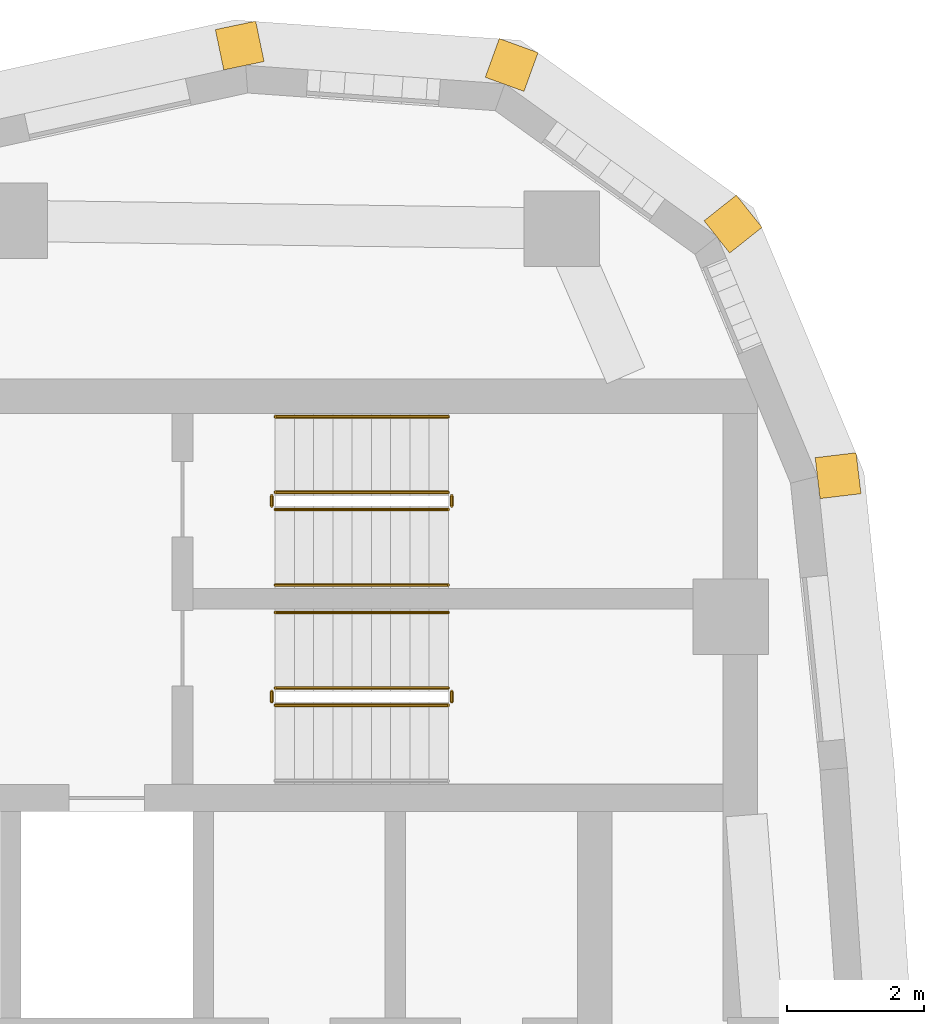
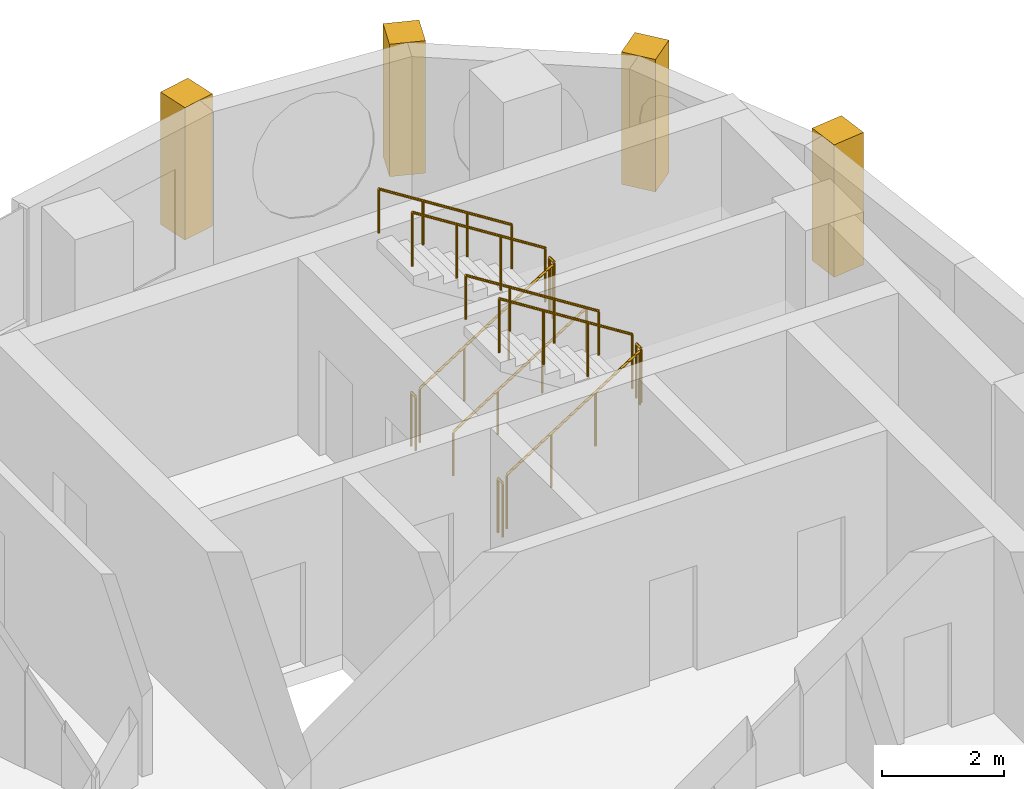
# One storey, part 15 of 15: 11 railings, 4 coverings.
"""IFC4 building model written with IfcOpenShell, lengths in metres."""

from ifc_helpers import new_model, si_unit, direction, frame, frame_2d, origin, origin_2d, place, context, subcontext, project, spatial, rectangle, circle, extrude, material, layer, layer_set, type_object, element, save


model = new_model("IFC4")

# Units and contexts
model_context = context("Model", 3, precision=1e-05, world=origin(), true_north=direction((0.0, 1.0)))
body_context = subcontext(model_context, "Body", "Model", "MODEL_VIEW")
ifc_project = project(units=[si_unit("LENGTHUNIT", "METRE"), si_unit("AREAUNIT", "SQUARE_METRE"), si_unit("VOLUMEUNIT", "CUBIC_METRE"), si_unit("PLANEANGLEUNIT", "RADIAN"), si_unit("MASSUNIT", "GRAM", prefix="KILO")], contexts=[model_context])

# Site, building, storey
site_placement = place(None, origin())
site = spatial("IfcSite", under=ifc_project, at=site_placement, CompositionType="ELEMENT")
building_placement = place(site_placement, origin())
building = spatial("IfcBuilding", under=site, at=building_placement, Name="Ostrand Prow Hotel Tower", CompositionType="ELEMENT")
storey_placement = place(building_placement, frame((0.0, 0.0, 292.75)))
storey = spatial("IfcBuildingStorey", under=building, at=storey_placement, Name="L74", CompositionType="ELEMENT", Elevation=292.75)

# Coverings
ifc_material_1 = material(Name="Limestone cladding", Category="masonry")
ifc_layer = layer(ifc_material_1, 0.60009765625)
ifc_layer_set = layer_set([ifc_layer], Name="Limestone cladding")
covering_type = type_object("IfcCoveringType", Name="Precast stone prow rib 600x600", PredefinedType="CLADDING", material=ifc_layer_set)
covering_1_placement = place(storey_placement, frame((65.0966796875, 14.806396484375, 0.60009765625), z_axis=(0.0, 0.0, 1.0), x_axis=(0.992867207971, 0.119225447515, 0.0)))
element("IfcCovering", 1, at=covering_1_placement, inside=storey, type_object=covering_type, Name="Stone corner rib 12a", PredefinedType="CLADDING", context=body_context, shape_type="SweptSolid", body=[
    extrude(rectangle(XDim=0.60009765625, YDim=0.60009765625, at=frame_2d((0.300048828125, 0.0))), origin(), (0.0, 0.0, 1.0), 2.64990234375),
])
for number, where, z_axis, x_axis, name in (
    (2, (63.630615234375, 18.318359375, 0.60009765625), (0.0, 0.0, 1.0), (0.782731736812, 0.622359243674, 0.0), "Stone corner rib 13a"),
    (3, (60.540283203125, 20.539794921875, 0.60009765625), (0.0, 0.0, 1.0), (0.340664419472, 0.940184956966, 0.0), "Stone corner rib 14a"),
):
    element("IfcCovering", number, at=place(storey_placement, frame(where, z_axis=z_axis, x_axis=x_axis)), inside=storey, type_object=covering_type, Name=name, PredefinedType="CLADDING", context=body_context, shape_type="SweptSolid", body=[
        extrude(rectangle(XDim=0.599853515625, YDim=0.60009765625, at=frame_2d((0.2998046875, 0.0))), origin(), (0.0, 0.0, 1.0), 2.64990234375),
    ])
covering_2_placement = place(storey_placement, frame((56.744384765625, 20.810546875, 0.60009765625), z_axis=(0.0, 0.0, 1.0), x_axis=(-0.203385687349, 0.979098698897, 0.0)))
element("IfcCovering", 4, at=covering_2_placement, inside=storey, type_object=covering_type, Name="Stone corner rib 14b", PredefinedType="CLADDING", context=body_context, shape_type="SweptSolid", body=[
    extrude(rectangle(XDim=0.60009765625, YDim=0.60009765625, at=frame_2d((0.300048828125, 0.0))), origin(), (0.0, 0.0, 1.0), 2.64990234375),
])

# Railings
ifc_material_2 = material(Name="Painted steel", Category="steel")
railing_type_1 = type_object("IfcRailingType", Name="Stair guard 1100", PredefinedType="GUARDRAIL", material=ifc_material_2)
railing_1_placement = place(storey_placement, frame((57.199951171875, 11.5, 0.177490234375)))
element("IfcRailing", 5, at=railing_1_placement, inside=storey, type_object=railing_type_1, Name="L74 ST1C stair guard 1", PredefinedType="GUARDRAIL", context=body_context, shape_type="SweptSolid", body=[
    extrude(circle(Radius=0.02392578125, at=origin_2d()), frame((0.0, 0.0, 1.076171875), z_axis=(0.84460694969, 0.0, 0.535386869969), x_axis=(0.0, 1.0, 0.0)), (0.0, 0.0, 1.0), 2.983642578125),
    extrude(circle(Radius=0.02099609375, at=origin_2d()), origin(), (0.0, 0.0, 1.0), 1.052001953125),
    extrude(circle(Radius=0.02099609375, at=origin_2d()), frame((0.840087890625, 0.0, 0.532470703125)), (0.0, 0.0, 1.0), 1.052001953125),
    extrude(circle(Radius=0.02099609375, at=origin_2d()), frame((1.679931640625, 0.0, 1.06494140625)), (0.0, 0.0, 1.0), 1.052001953125),
    extrude(circle(Radius=0.02099609375, at=origin_2d()), frame((2.52001953125, 0.0, 1.597412109375)), (0.0, 0.0, 1.0), 1.052001953125),
])
railing_2_placement = place(storey_placement, frame((59.77001953125, 11.550048828125, 1.77490234375)))
element("IfcRailing", 6, at=railing_2_placement, inside=storey, type_object=railing_type_1, Name="L74 ST1C stair guard 2", PredefinedType="GUARDRAIL", context=body_context, shape_type="SweptSolid", body=[
    extrude(circle(Radius=0.02392578125, at=origin_2d()), frame((0.0, 0.0, 1.076171875), z_axis=(0.0, 1.0, 0.0), x_axis=(-1.0, 0.0, 0.0)), (0.0, 0.0, 1.0), 0.14990234375),
    extrude(circle(Radius=0.02099609375, at=origin_2d()), origin(), (0.0, 0.0, 1.0), 1.052001953125),
    extrude(circle(Radius=0.02099609375, at=origin_2d()), frame((0.0, 0.14990234375, 0.0)), (0.0, 0.0, 1.0), 1.052001953125),
])
railing_3_placement = place(storey_placement, frame((59.719970703125, 11.75, 1.952392578125)))
element("IfcRailing", 7, at=railing_3_placement, inside=storey, type_object=railing_type_1, Name="L74 ST1C stair guard 3", PredefinedType="GUARDRAIL", context=body_context, shape_type="SweptSolid", body=[
    extrude(circle(Radius=0.02392578125, at=origin_2d()), frame((0.0, 0.0, 1.076171875), z_axis=(-0.84456994832, 0.0, 0.535445237532), x_axis=(0.0, -1.0, 0.0)), (0.0, 0.0, 1.0), 2.98388671875),
    extrude(circle(Radius=0.02099609375, at=origin_2d()), origin(), (0.0, 0.0, 1.0), 1.052001953125),
    extrude(circle(Radius=0.02099609375, at=origin_2d()), frame((-0.840087890625, 0.0, 0.532470703125)), (0.0, 0.0, 1.0), 1.052001953125),
    extrude(circle(Radius=0.02099609375, at=origin_2d()), frame((-1.679931640625, 0.0, 1.065185546875)), (0.0, 0.0, 1.0), 1.052001953125),
    extrude(circle(Radius=0.02099609375, at=origin_2d()), frame((-2.52001953125, 0.0, 1.59765625)), (0.0, 0.0, 1.0), 1.052001953125),
])
railing_4_placement = place(storey_placement, frame((57.14990234375, 11.550048828125, 0.0)))
element("IfcRailing", 8, at=railing_4_placement, inside=storey, type_object=railing_type_1, Name="L74 ST1C stair guard 4", PredefinedType="GUARDRAIL", context=body_context, shape_type="SweptSolid", body=[
    extrude(circle(Radius=0.02392578125, at=origin_2d()), frame((0.0, 0.0, 1.076171875), z_axis=(0.0, 1.0, 0.0), x_axis=(-1.0, 0.0, 0.0)), (0.0, 0.0, 1.0), 0.14990234375),
    extrude(circle(Radius=0.02099609375, at=origin_2d()), origin(), (0.0, 0.0, 1.0), 1.052001953125),
    extrude(circle(Radius=0.02099609375, at=origin_2d()), frame((0.0, 0.14990234375, 0.0)), (0.0, 0.0, 1.0), 1.052001953125),
])
railing_5_placement = place(storey_placement, frame((57.199951171875, 14.35009765625, 0.177490234375)))
element("IfcRailing", 9, at=railing_5_placement, inside=storey, type_object=railing_type_1, Name="L74 ST3C stair guard 1", PredefinedType="GUARDRAIL", context=body_context, shape_type="SweptSolid", body=[
    extrude(circle(Radius=0.02392578125, at=origin_2d()), frame((0.0, 0.0, 1.076171875), z_axis=(0.84460694969, 0.0, 0.535386869969), x_axis=(0.0, 1.0, 0.0)), (0.0, 0.0, 1.0), 2.983642578125),
    extrude(circle(Radius=0.02099609375, at=origin_2d()), origin(), (0.0, 0.0, 1.0), 1.052001953125),
    extrude(circle(Radius=0.02099609375, at=origin_2d()), frame((0.840087890625, 0.0, 0.532470703125)), (0.0, 0.0, 1.0), 1.052001953125),
    extrude(circle(Radius=0.02099609375, at=origin_2d()), frame((1.679931640625, 0.0, 1.06494140625)), (0.0, 0.0, 1.0), 1.052001953125),
    extrude(circle(Radius=0.02099609375, at=origin_2d()), frame((2.52001953125, 0.0, 1.597412109375)), (0.0, 0.0, 1.0), 1.052001953125),
])
railing_6_placement = place(storey_placement, frame((59.77001953125, 14.39990234375, 1.77490234375)))
element("IfcRailing", 10, at=railing_6_placement, inside=storey, type_object=railing_type_1, Name="L74 ST3C stair guard 2", PredefinedType="GUARDRAIL", context=body_context, shape_type="SweptSolid", body=[
    extrude(circle(Radius=0.02392578125, at=origin_2d()), frame((0.0, 0.0, 1.076171875), z_axis=(0.0, 1.0, 0.0), x_axis=(-1.0, 0.0, 0.0)), (0.0, 0.0, 1.0), 0.150146484375),
    extrude(circle(Radius=0.02099609375, at=origin_2d()), origin(), (0.0, 0.0, 1.0), 1.052001953125),
    extrude(circle(Radius=0.02099609375, at=origin_2d()), frame((0.0, 0.150146484375, 0.0)), (0.0, 0.0, 1.0), 1.052001953125),
])
railing_7_placement = place(storey_placement, frame((59.719970703125, 14.60009765625, 1.952392578125)))
element("IfcRailing", 11, at=railing_7_placement, inside=storey, type_object=railing_type_1, Name="L74 ST3C stair guard 3", PredefinedType="GUARDRAIL", context=body_context, shape_type="SweptSolid", body=[
    extrude(circle(Radius=0.02392578125, at=origin_2d()), frame((0.0, 0.0, 1.076171875), z_axis=(-0.84456994832, 0.0, 0.535445237532), x_axis=(0.0, -1.0, 0.0)), (0.0, 0.0, 1.0), 2.98388671875),
    extrude(circle(Radius=0.02099609375, at=origin_2d()), origin(), (0.0, 0.0, 1.0), 1.052001953125),
    extrude(circle(Radius=0.02099609375, at=origin_2d()), frame((-0.840087890625, 0.0, 0.532470703125)), (0.0, 0.0, 1.0), 1.052001953125),
    extrude(circle(Radius=0.02099609375, at=origin_2d()), frame((-1.679931640625, 0.0, 1.065185546875)), (0.0, 0.0, 1.0), 1.052001953125),
    extrude(circle(Radius=0.02099609375, at=origin_2d()), frame((-2.52001953125, 0.0, 1.59765625)), (0.0, 0.0, 1.0), 1.052001953125),
])
railing_8_placement = place(storey_placement, frame((57.14990234375, 14.39990234375, 0.0)))
element("IfcRailing", 12, at=railing_8_placement, inside=storey, type_object=railing_type_1, Name="L74 ST3C stair guard 4", PredefinedType="GUARDRAIL", context=body_context, shape_type="SweptSolid", body=[
    extrude(circle(Radius=0.02392578125, at=origin_2d()), frame((0.0, 0.0, 1.076171875), z_axis=(0.0, 1.0, 0.0), x_axis=(-1.0, 0.0, 0.0)), (0.0, 0.0, 1.0), 0.150146484375),
    extrude(circle(Radius=0.02099609375, at=origin_2d()), origin(), (0.0, 0.0, 1.0), 1.052001953125),
    extrude(circle(Radius=0.02099609375, at=origin_2d()), frame((0.0, 0.150146484375, 0.0)), (0.0, 0.0, 1.0), 1.052001953125),
])
ifc_material_3 = material(Name="Stainless steel", Category="steel")
railing_type_2 = type_object("IfcRailingType", Name="Stair handrail 900", PredefinedType="HANDRAIL", material=ifc_material_3)
railing_9_placement = place(storey_placement, frame((59.719970703125, 12.85009765625, 1.952392578125)))
element("IfcRailing", 13, at=railing_9_placement, inside=storey, type_object=railing_type_2, Name="L74 ST1C stair handrail 2", PredefinedType="HANDRAIL", context=body_context, shape_type="SweptSolid", body=[
    extrude(circle(Radius=0.02392578125, at=origin_2d()), frame((0.0, 0.0, 0.8759765625), z_axis=(-0.84456994832, 0.0, 0.535445237532), x_axis=(0.0, -1.0, 0.0)), (0.0, 0.0, 1.0), 2.98388671875),
    extrude(circle(Radius=0.02099609375, at=origin_2d()), origin(), (0.0, 0.0, 1.0), 0.851806640625),
    extrude(circle(Radius=0.02099609375, at=origin_2d()), frame((-0.840087890625, 0.0, 0.532470703125)), (0.0, 0.0, 1.0), 0.851806640625),
    extrude(circle(Radius=0.02099609375, at=origin_2d()), frame((-1.679931640625, 0.0, 1.065185546875)), (0.0, 0.0, 1.0), 0.851806640625),
    extrude(circle(Radius=0.02099609375, at=origin_2d()), frame((-2.52001953125, 0.0, 1.59765625)), (0.0, 0.0, 1.0), 0.851806640625),
])
railing_10_placement = place(storey_placement, frame((57.199951171875, 13.25, 0.177490234375)))
element("IfcRailing", 14, at=railing_10_placement, inside=storey, type_object=railing_type_2, Name="L74 ST3C stair handrail 1", PredefinedType="HANDRAIL", context=body_context, shape_type="SweptSolid", body=[
    extrude(circle(Radius=0.02392578125, at=origin_2d()), frame((0.0, 0.0, 0.8759765625), z_axis=(0.84460694969, 0.0, 0.535386869969), x_axis=(0.0, 1.0, 0.0)), (0.0, 0.0, 1.0), 2.983642578125),
    extrude(circle(Radius=0.02099609375, at=origin_2d()), origin(), (0.0, 0.0, 1.0), 0.851806640625),
    extrude(circle(Radius=0.02099609375, at=origin_2d()), frame((0.840087890625, 0.0, 0.532470703125)), (0.0, 0.0, 1.0), 0.851806640625),
    extrude(circle(Radius=0.02099609375, at=origin_2d()), frame((1.679931640625, 0.0, 1.06494140625)), (0.0, 0.0, 1.0), 0.851806640625),
    extrude(circle(Radius=0.02099609375, at=origin_2d()), frame((2.52001953125, 0.0, 1.597412109375)), (0.0, 0.0, 1.0), 0.851806640625),
])
railing_11_placement = place(storey_placement, frame((59.719970703125, 15.699951171875, 1.952392578125)))
element("IfcRailing", 15, at=railing_11_placement, inside=storey, type_object=railing_type_2, Name="L74 ST3C stair handrail 2", PredefinedType="HANDRAIL", context=body_context, shape_type="SweptSolid", body=[
    extrude(circle(Radius=0.02392578125, at=origin_2d()), frame((0.0, 0.0, 0.8759765625), z_axis=(-0.84456994832, 0.0, 0.535445237532), x_axis=(0.0, -1.0, 0.0)), (0.0, 0.0, 1.0), 2.98388671875),
    extrude(circle(Radius=0.02099609375, at=origin_2d()), origin(), (0.0, 0.0, 1.0), 0.851806640625),
    extrude(circle(Radius=0.02099609375, at=origin_2d()), frame((-0.840087890625, 0.0, 0.532470703125)), (0.0, 0.0, 1.0), 0.851806640625),
    extrude(circle(Radius=0.02099609375, at=origin_2d()), frame((-1.679931640625, 0.0, 1.065185546875)), (0.0, 0.0, 1.0), 0.851806640625),
    extrude(circle(Radius=0.02099609375, at=origin_2d()), frame((-2.52001953125, 0.0, 1.59765625)), (0.0, 0.0, 1.0), 0.851806640625),
])

save(model, "model.ifc")
